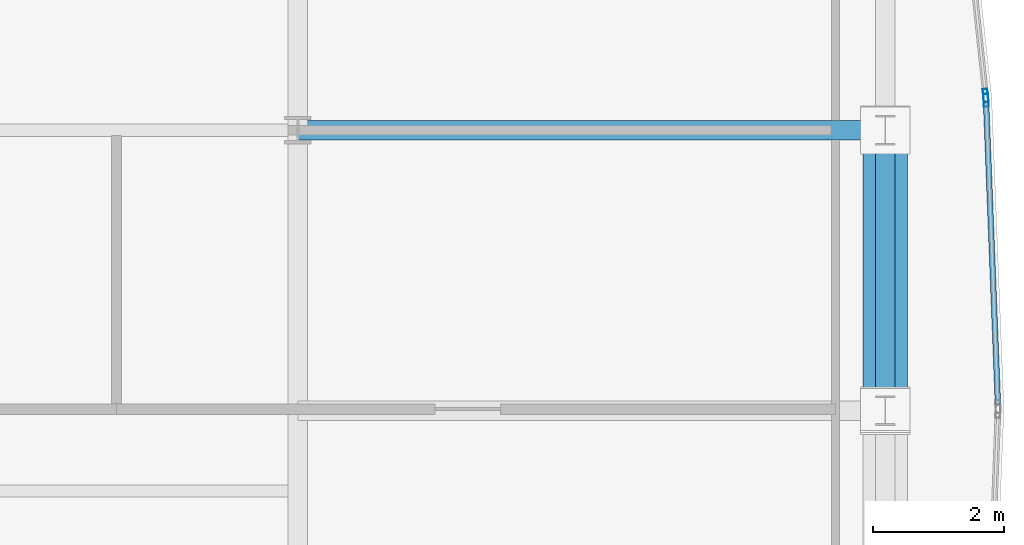
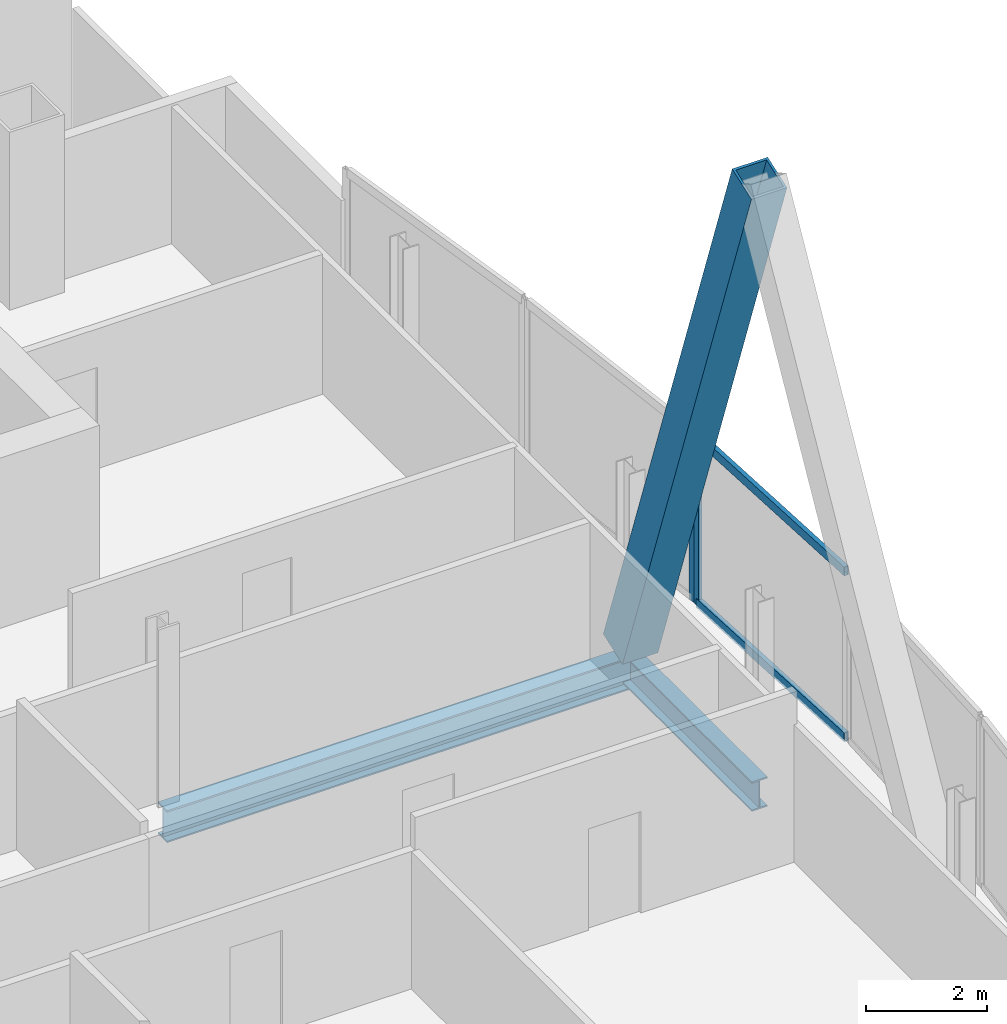
# One storey, part 19 of 31: 5 members, 2 beams, 2 elements without a shape of their own.
"""IFC4 building model written with IfcOpenShell, lengths in metres."""

import ifcopenshell
import ifcopenshell.guid

model = None  # the IFC model being written
_history = None  # IfcOwnerHistory: only IFC2X3 demands one
_inside = {}  # id of a spatial element -> (the spatial element, [elements in it])
_under = {}  # id of a project, library or spatial element -> (it, [spatial elements below it])
_declared = {}  # id of a project -> (the project, [libraries it declares])
_typed = {}  # id of a type object -> (the type object, [elements of that type])
_made_of = {}  # id of a material, layer set ... -> (it, [elements and type objects made of it])


def new_model(schema):
    """Start an empty IFC model of exactly this schema.

    Asked for "IFC4X3", IfcOpenShell would pick the latest addendum, in which some entities
    have other attributes; the version numbers below select the first issue.
    IFC2X3 requires an IfcOwnerHistory on every rooted entity: one is made here for all.
    """
    global model, _history
    if schema == "IFC4X3":
        model = ifcopenshell.file(schema_version=(4, 3, 0, 0))
    else:
        model = ifcopenshell.file(schema=schema)
    _inside.clear()
    _under.clear()
    _declared.clear()
    _typed.clear()
    _made_of.clear()
    _history = None
    if model.schema == "IFC2X3":
        org = make("IfcOrganization", Name="unknown")
        user = make(
            "IfcPersonAndOrganization",
            ThePerson=make("IfcPerson", FamilyName="unknown"),
            TheOrganization=org,
        )
        app = make(
            "IfcApplication",
            ApplicationDeveloper=org,
            Version="unknown",
            ApplicationFullName="unknown",
            ApplicationIdentifier="unknown",
        )
        _history = make(
            "IfcOwnerHistory",
            OwningUser=user,
            OwningApplication=app,
            ChangeAction="ADDED",
            CreationDate=0,
        )
    return model


def make(cls, **values):
    """One entity of the class cls with the attributes given. An attribute that is None is left unset."""
    return model.create_entity(
        cls, **{name: value for name, value in values.items() if value is not None}
    )


def rooted(cls, **values):
    """An entity with a GlobalId (a new one), such as an element, a storey or a relation."""
    return make(cls, GlobalId=ifcopenshell.guid.new(), OwnerHistory=_history, **values)


def si_unit(unit_type, name, prefix=None):
    """IfcSIUnit, for example si_unit("LENGTHUNIT", "METRE", prefix="MILLI")."""
    return make("IfcSIUnit", UnitType=unit_type, Prefix=prefix, Name=name)


def assignment(units):
    """IfcUnitAssignment: the units of a project."""
    return None if units is None else make("IfcUnitAssignment", Units=units)


def point(xyz):
    """IfcCartesianPoint."""
    return None if xyz is None else make("IfcCartesianPoint", Coordinates=xyz)


def direction(xyz):
    """IfcDirection."""
    return None if xyz is None else make("IfcDirection", DirectionRatios=xyz)


def frame(location, z_axis=None, x_axis=None):
    """IfcAxis2Placement3D, a coordinate frame: its origin and axes. An axis left out is left unset."""
    return make(
        "IfcAxis2Placement3D",
        Location=point(location),
        Axis=direction(z_axis),
        RefDirection=direction(x_axis),
    )


def frame_2d(location, x_axis=None):
    """IfcAxis2Placement2D, a coordinate frame in the plane: its origin and x axis."""
    return make(
        "IfcAxis2Placement2D", Location=point(location), RefDirection=direction(x_axis)
    )


def origin():
    """The frame at (0, 0, 0) with its axes left unset."""
    return frame((0.0, 0.0, 0.0))


def origin_2d():
    """The frame at (0, 0) in the plane with its x axis left unset."""
    return frame_2d((0.0, 0.0))


def place(relative_to, where):
    """IfcLocalPlacement: puts the frame where relative to a parent placement (None: the world)."""
    return make(
        "IfcLocalPlacement", PlacementRelTo=relative_to, RelativePlacement=where
    )


def context(
    kind, dimensions, precision=None, world=None, true_north=None, identifier=None
):
    """IfcGeometricRepresentationContext, for example the 3D "Model" context."""
    return make(
        "IfcGeometricRepresentationContext",
        ContextIdentifier=identifier,
        ContextType=kind,
        CoordinateSpaceDimension=dimensions,
        Precision=precision,
        WorldCoordinateSystem=world,
        TrueNorth=true_north,
    )


def subcontext(parent, identifier, kind, view, scale=None):
    """IfcGeometricRepresentationSubContext, for example "Body" below "Model"."""
    return make(
        "IfcGeometricRepresentationSubContext",
        ContextIdentifier=identifier,
        ContextType=kind,
        ParentContext=parent,
        TargetScale=scale,
        TargetView=view,
    )


def project(units=None, contexts=None):
    """IfcProject with its units and contexts."""
    return rooted(
        "IfcProject",
        Name="project",
        RepresentationContexts=contexts,
        UnitsInContext=assignment(units),
    )


def spatial(cls, under=None, at=None, **own):
    """A site, building, storey or space (cls), placed at a placement, below another one or the project."""
    s = rooted(cls, ObjectPlacement=at, **own)
    if under is not None:
        _under.setdefault(under.id(), (under, []))[1].append(s)
    return s


def profile(cls, at=None, kind="AREA", **sizes):
    """A parametric profile (cls). Its sizes go by their IFC names, for example OverallWidth=200.0."""
    return make(cls, ProfileType=kind, Position=at, **sizes)


def hollow_rectangle(**sizes):
    """IfcRectangleHollowProfileDef."""
    return profile("IfcRectangleHollowProfileDef", **sizes)


def i_section(**sizes):
    """IfcIShapeProfileDef."""
    return profile("IfcIShapeProfileDef", **sizes)


def extrude(swept, where, along, depth):
    """IfcExtrudedAreaSolid: the profile swept, set in the frame where, extruded along a direction by depth."""
    return make(
        "IfcExtrudedAreaSolid",
        SweptArea=swept,
        Position=where,
        ExtrudedDirection=direction(along),
        Depth=depth,
    )


def shape(context_of_items, identifier, shape_type, items):
    """IfcShapeRepresentation: the items that make up one representation, for example the "Body"."""
    return make(
        "IfcShapeRepresentation",
        ContextOfItems=context_of_items,
        RepresentationIdentifier=identifier,
        RepresentationType=shape_type,
        Items=items,
    )


def material(Name=None, Category=None):
    """IfcMaterial."""
    return make("IfcMaterial", Name=Name, Category=Category)


def material_profile(
    of_material, cross_section, Name=None, Category=None, Priority=None
):
    """IfcMaterialProfile: a cross section and its material."""
    return make(
        "IfcMaterialProfile",
        Name=Name,
        Material=of_material,
        Profile=cross_section,
        Priority=Priority,
        Category=Category,
    )


def profile_set(profiles, Name=None, composite=None):
    """IfcMaterialProfileSet."""
    return make(
        "IfcMaterialProfileSet",
        Name=Name,
        MaterialProfiles=profiles,
        CompositeProfile=composite,
    )


def made_of(thing, what):
    """Note that an element or type object is made of a material, layer set ...; save() writes the relation."""
    if what is not None:
        _made_of.setdefault(what.id(), (what, []))[1].append(thing)
    return thing


def type_object(cls, material=None, **own):
    """A type object (cls), such as IfcWallType, which elements share."""
    return made_of(rooted(cls, **own), material)


def element(
    cls,
    number,
    at=None,
    inside=None,
    cuts=None,
    type_object=None,
    material=None,
    context=None,
    identifier="Body",
    shape_type=None,
    held_by="IfcProductDefinitionShape",
    body=None,
    shapes=None,
    **own,
):
    """One element of the class cls, such as IfcWall. Its Tag is "e" and its number.

    at: its placement. inside: the storey or other place that contains it. cuts: it is an
    opening in that element (IfcRelVoidsElement). A single representation is given by context,
    identifier, shape_type and body (its items); several are given by shapes. held_by: the class
    of the entity that holds the representations. save() writes the other relations.
    """
    e = rooted(cls, Tag="e%d" % number, ObjectPlacement=at, **own)
    if body is not None:
        shapes = [shape(context, identifier, shape_type, body)]
    if shapes is not None:
        e.Representation = make(held_by, Representations=shapes)
    if inside is not None:
        _inside.setdefault(inside.id(), (inside, []))[1].append(e)
    if cuts is not None:
        rooted(
            "IfcRelVoidsElement", RelatingBuildingElement=cuts, RelatedOpeningElement=e
        )
    if type_object is not None:
        _typed.setdefault(type_object.id(), (type_object, []))[1].append(e)
    return made_of(e, material)


def aggregate(whole, parts):
    """IfcRelAggregates: a whole, such as a stair, and the parts it consists of."""
    return rooted("IfcRelAggregates", RelatingObject=whole, RelatedObjects=parts)


def save(model, path):
    """Write the relations noted so far, then the file.

    IfcRelAggregates (storeys below a building ...), IfcRelContainedInSpatialStructure (elements
    in a storey), IfcRelDefinesByType, IfcRelAssociatesMaterial and IfcRelDeclares: one each for
    every whole, place, type object, material and project.
    """
    for whole, parts in _under.values():
        aggregate(whole, parts)
    for where, things in _inside.values():
        rooted(
            "IfcRelContainedInSpatialStructure",
            RelatedElements=things,
            RelatingStructure=where,
        )
    for kind, things in _typed.values():
        rooted("IfcRelDefinesByType", RelatedObjects=things, RelatingType=kind)
    for what, things in _made_of.values():
        rooted("IfcRelAssociatesMaterial", RelatedObjects=things, RelatingMaterial=what)
    for by, libraries in _declared.values():
        rooted("IfcRelDeclares", RelatingContext=by, RelatedDefinitions=libraries)
    model.write(path)


model = new_model("IFC4")

# Units and contexts
model_context = context("Model", 3, precision=1e-05, world=origin(), true_north=direction((0.0, 1.0)))
body_context = subcontext(model_context, "Body", "Model", "MODEL_VIEW")
ifc_project = project(units=[si_unit("LENGTHUNIT", "METRE"), si_unit("AREAUNIT", "SQUARE_METRE"), si_unit("VOLUMEUNIT", "CUBIC_METRE"), si_unit("PLANEANGLEUNIT", "RADIAN"), si_unit("MASSUNIT", "GRAM", prefix="KILO")], contexts=[model_context])

# Site, building, storey
site_placement = place(None, origin())
site = spatial("IfcSite", under=ifc_project, at=site_placement, CompositionType="ELEMENT")
building_placement = place(site_placement, origin())
building = spatial("IfcBuilding", under=site, at=building_placement, Name="Khoronbel Lancet Exchange", CompositionType="ELEMENT")
storey_placement = place(building_placement, frame((0.0, 0.0, 249.800048828125)))
storey = spatial("IfcBuildingStorey", under=building, at=storey_placement, Name="L64", CompositionType="ELEMENT", Elevation=249.800048828125)

# Beams
ifc_material_1 = material(Name="Steel S355", Category="steel")
ifc_material_profile_1 = material_profile(ifc_material_1, i_section(OverallWidth=0.300048828125, OverallDepth=0.64990234375, WebThickness=0.01611328125, FlangeThickness=0.031005859375, at=origin_2d()), Name="HEB 650")
ifc_profile_set_1 = profile_set([ifc_material_profile_1], Name="Steel S355")
beam_type_1 = type_object("IfcBeamType", Name="BM-BG4", PredefinedType="BEAM", material=ifc_profile_set_1)
beam_1_placement = place(storey_placement, frame((54.675048828125, 35.699951171875, -0.485107421875), z_axis=(1.0, 0.0, 0.0), x_axis=(0.0, 1.0, 0.0)))
element("IfcBeam", 1, at=beam_1_placement, inside=storey, type_object=beam_type_1, Name="Level L64 east lens tie girder LG4E", PredefinedType="BEAM", context=body_context, shape_type="SweptSolid", body=[
    extrude(i_section(OverallWidth=0.300048828125, OverallDepth=0.64990234375, WebThickness=0.01611328125, FlangeThickness=0.031005859375, at=origin_2d()), origin(), (0.0, 0.0, 1.0), 8.954833984375),
])
ifc_material_profile_2 = material_profile(ifc_material_1, i_section(OverallWidth=0.300048828125, OverallDepth=0.60009765625, WebThickness=0.015380859375, FlangeThickness=0.030029296875, at=origin_2d()), Name="HEB 600")
ifc_profile_set_2 = profile_set([ifc_material_profile_2], Name="Steel S355")
beam_type_2 = type_object("IfcBeamType", Name="BM-BSP2", PredefinedType="SPANDREL", material=ifc_profile_set_2)
beam_2_placement = place(storey_placement, frame((63.6298828125, 31.425048828125, -0.4599609375), z_axis=(0.0, 1.0, 0.0), x_axis=(-1.0, 0.0, 0.0)))
element("IfcBeam", 2, at=beam_2_placement, inside=storey, type_object=beam_type_2, Name="Level L64 perimeter spandrel beam SP13", PredefinedType="SPANDREL", context=body_context, shape_type="SweptSolid", body=[
    extrude(i_section(OverallWidth=0.300048828125, OverallDepth=0.60009765625, WebThickness=0.015380859375, FlangeThickness=0.030029296875, at=origin_2d()), origin(), (0.0, 0.0, 1.0), 4.27490234375),
])

# Curtain wall, member
ifc_material_2 = material(Name="Low-E Solar Control Insulating Glass", Category="glass")
curtain_wall_type = type_object("IfcCurtainWallType", Name="CW-4", PredefinedType="NOTDEFINED", material=ifc_material_2)
curtain_wall_1_placement = place(storey_placement, origin())
curtain_wall_1 = element("IfcCurtainWall", 3, at=curtain_wall_1_placement, inside=storey, type_object=curtain_wall_type, Name="Unitised curtain wall CW-L64-E18", PredefinedType="NOTDEFINED")
ifc_material_3 = material(Name="Bronze-Anodised Aluminium 6063-T6", Category="aluminium")
ifc_material_profile_3 = material_profile(ifc_material_3, hollow_rectangle(XDim=0.074951171875, YDim=0.199951171875, WallThickness=0.0048828125, at=origin_2d()), Name="ALU MULLION 75x200")
ifc_profile_set_3 = profile_set([ifc_material_profile_3], Name="Bronze-Anodised Aluminium 6063-T6")
member_type_1 = type_object("IfcMemberType", Name="MEM-CWM2", PredefinedType="MULLION", material=ifc_profile_set_3)
member_1_placement = place(storey_placement, frame((65.159912109375, 36.230712890625, 0.0), z_axis=(0.0, 0.0, 1.0), x_axis=(0.994311928022, 0.106507228834, 0.0)))
member_1 = element("IfcMember", 4, at=member_1_placement, type_object=member_type_1, Name="CW4 mullion 2", PredefinedType="MULLION", context=body_context, shape_type="SweptSolid", body=[
    extrude(hollow_rectangle(XDim=0.074951171875, YDim=0.199951171875, WallThickness=0.0048828125, at=origin_2d()), origin(), (0.0, 0.0, 1.0), 3.43994140625),
])
aggregate(curtain_wall_1, [member_1])

# Curtain wall, members
curtain_wall_2_placement = place(storey_placement, origin())
curtain_wall_2 = element("IfcCurtainWall", 5, at=curtain_wall_2_placement, inside=storey, type_object=curtain_wall_type, Name="Unitised curtain wall CW-L64-E19", PredefinedType="NOTDEFINED")
member_2_placement = place(storey_placement, frame((65.165283203125, 36.156005859375, 0.0), z_axis=(0.0, 0.0, 1.0), x_axis=(0.999232904661, 0.039161233927, 0.0)))
member_2 = element("IfcMember", 6, at=member_2_placement, type_object=member_type_1, Name="CW4 mullion 1", PredefinedType="MULLION", context=body_context, shape_type="SweptSolid", body=[
    extrude(hollow_rectangle(XDim=0.074951171875, YDim=0.199951171875, WallThickness=0.0048828125, at=origin_2d()), origin(), (0.0, 0.0, 1.0), 3.43994140625),
])
ifc_material_profile_4 = material_profile(ifc_material_3, hollow_rectangle(XDim=0.0849609375, YDim=0.179931640625, WallThickness=0.0048828125, at=origin_2d()), Name="ALU TRANSOM 85x180")
ifc_profile_set_4 = profile_set([ifc_material_profile_4], Name="Bronze-Anodised Aluminium 6063-T6")
member_type_2 = type_object("IfcMemberType", Name="MEM-CWT1", PredefinedType="USERDEFINED", material=ifc_profile_set_4)
member_3_placement = place(storey_placement, frame((65.166748046875, 36.118408203125, 0.04248046875), z_axis=(0.039193884607, -0.999231624504, 0.0), x_axis=(0.999231624504, 0.039193884607, 0.0)))
member_3 = element("IfcMember", 7, at=member_3_placement, type_object=member_type_2, Name="CW4 transom 1.1", ObjectType="TRANSOM", PredefinedType="USERDEFINED", context=body_context, shape_type="SweptSolid", body=[
    extrude(hollow_rectangle(XDim=0.0849609375, YDim=0.179931640625, WallThickness=0.0048828125, at=origin_2d()), origin(), (0.0, 0.0, 1.0), 4.596923828125),
])
member_4_placement = place(storey_placement, frame((65.166748046875, 36.118408203125, 3.3974609375), z_axis=(0.039193884607, -0.999231624504, 0.0), x_axis=(0.999231624504, 0.039193884607, 0.0)))
member_4 = element("IfcMember", 8, at=member_4_placement, type_object=member_type_2, Name="CW4 transom 1.2", ObjectType="TRANSOM", PredefinedType="USERDEFINED", context=body_context, shape_type="SweptSolid", body=[
    extrude(hollow_rectangle(XDim=0.0849609375, YDim=0.179931640625, WallThickness=0.0048828125, at=origin_2d()), origin(), (0.0, 0.0, 1.0), 4.596923828125),
])
aggregate(curtain_wall_2, [member_2, member_3, member_4])

# Member
ifc_material_4 = material(Name="Steel S460", Category="steel")
ifc_material_profile_5 = material_profile(ifc_material_4, hollow_rectangle(XDim=0.679931640625, YDim=0.679931640625, WallThickness=0.044921875, at=origin_2d()), Name="BOX 680x680x45")
ifc_profile_set_5 = profile_set([ifc_material_profile_5], Name="Steel S460")
member_type_3 = type_object("IfcMemberType", Name="MEM-MB3", PredefinedType="BRACE", material=ifc_profile_set_5)
member_5_placement = place(storey_placement, frame((63.6298828125, 35.699951171875, 0.0), z_axis=(0.0, -0.335583554792, 0.94201044461), x_axis=(1.0, 0.0, 0.0)))
element("IfcMember", 9, at=member_5_placement, inside=storey, type_object=member_type_3, Name="Perimeter lancet brace tier 22 E-P-R", PredefinedType="BRACE", context=body_context, shape_type="SweptSolid", body=[
    extrude(hollow_rectangle(XDim=0.679931640625, YDim=0.679931640625, WallThickness=0.044921875, at=origin_2d()), origin(), (0.0, 0.0, 1.0), 12.73876953125),
])

save(model, "model.ifc")
